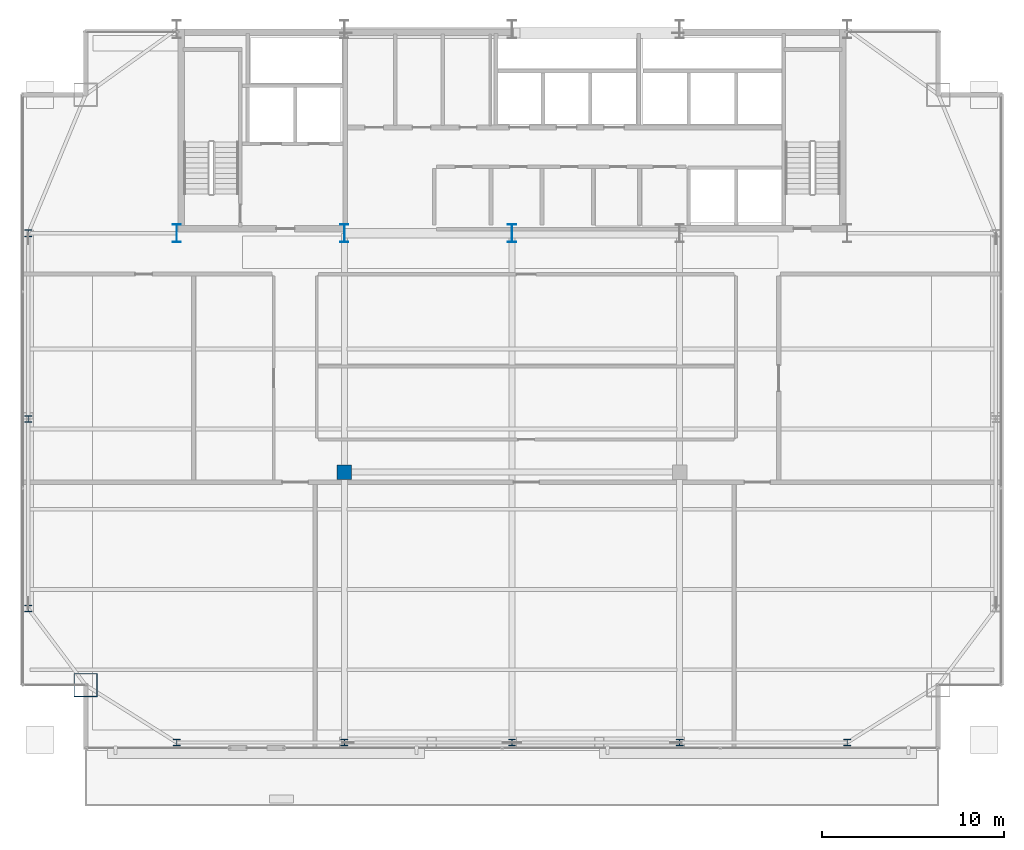
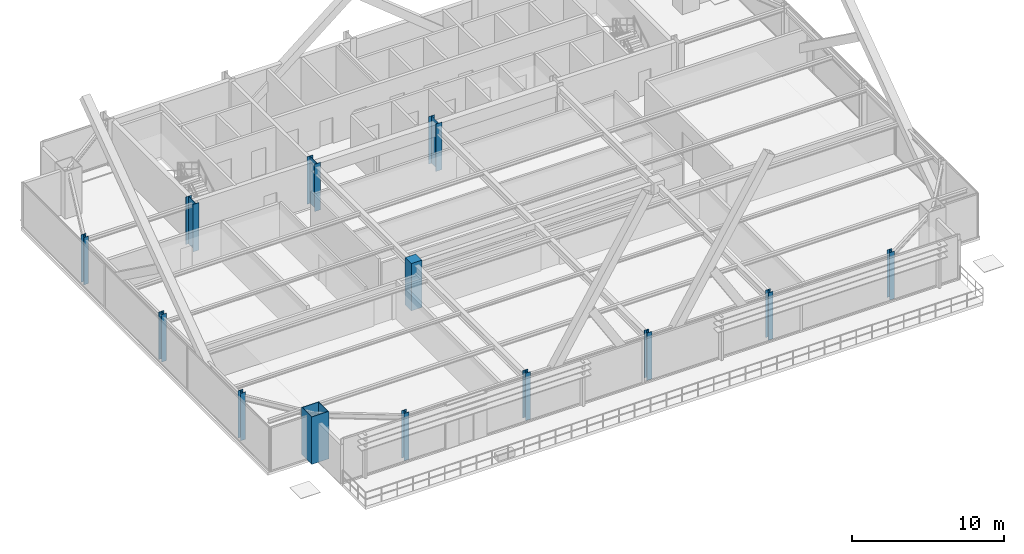
# One storey, part 1 of 33: 13 columns.
"""IFC4 building model written with IfcOpenShell, lengths in metres."""

from ifc_helpers import new_model, si_unit, direction, frame, origin, origin_2d, place, context, subcontext, project, spatial, rectangle, hollow_rectangle, i_section, extrude, source, transform, mapped, material, material_profile, profile_set, type_object, type_shapes, element, save


model = new_model("IFC4")

# Units and contexts
model_context = context("Model", 3, precision=1e-05, world=origin(), true_north=direction((0.0, 1.0)))
body_context = subcontext(model_context, "Body", "Model", "MODEL_VIEW")
ifc_project = project(units=[si_unit("LENGTHUNIT", "METRE"), si_unit("AREAUNIT", "SQUARE_METRE"), si_unit("VOLUMEUNIT", "CUBIC_METRE"), si_unit("PLANEANGLEUNIT", "RADIAN"), si_unit("MASSUNIT", "GRAM", prefix="KILO")], contexts=[model_context])

# Site, building, storey
site_placement = place(None, origin())
site = spatial("IfcSite", under=ifc_project, at=site_placement, CompositionType="ELEMENT")
building_placement = place(site_placement, origin())
building = spatial("IfcBuilding", under=site, at=building_placement, Name="Varnel Quay Broadcast Tower", CompositionType="ELEMENT")
storey_placement = place(building_placement, frame((0.0, 0.0, 145.800048828125)))
storey = spatial("IfcBuildingStorey", under=building, at=storey_placement, Name="L35", CompositionType="ELEMENT", Elevation=145.800048828125)

# Columns
ifc_material_1 = material(Name="Structural Steel CSA G40.21 350WT", Category="steel")
ifc_material_profile_1 = material_profile(ifc_material_1, i_section(OverallWidth=0.449951171875, OverallDepth=1.0, WebThickness=0.01611328125, FlangeThickness=0.030029296875, FilletRadius=0.01611328125, at=origin_2d()), Name="WWF1000X362")
ifc_profile_set_1 = profile_set([ifc_material_profile_1], Name="Structural Steel CSA G40.21 350WT")
column_type_1 = type_object("IfcColumnType", Name="Col_WWF1000X362", PredefinedType="COLUMN", material=ifc_profile_set_1)
shared_shape_1 = source(origin(), body_context, "Body", "SweptSolid", [
    extrude(i_section(OverallWidth=0.449951171875, OverallDepth=1.0, WebThickness=0.01611328125, FlangeThickness=0.030029296875, FilletRadius=0.01611328125, at=origin_2d()), origin(), (0.0, 0.0, 1.0), 3.800048828125),
])
type_shapes(column_type_1, [shared_shape_1])
for number, where, z_axis, x_axis, name in (
    (1, (15.60009765625, 35.60009765625, 0.0), (0.0, 0.0, 1.0), (1.0, 0.0, 0.0), "L35 Column CC-S1"),
    (2, (24.800048828125, 35.60009765625, 0.0), (0.0, 0.0, 1.0), (1.0, 0.0, 0.0), "L35 Column CC-S2"),
    (3, (34.0, 35.60009765625, 0.0), (0.0, 0.0, 1.0), (1.0, 0.0, 0.0), "L35 Column CC-S3"),
):
    element("IfcColumn", number, at=place(storey_placement, frame(where, z_axis=z_axis, x_axis=x_axis)), inside=storey, type_object=column_type_1, Name=name, PredefinedType="COLUMN", context=body_context, shape_type="MappedRepresentation", body=[
        mapped(shared_shape_1, transform((0.0, 0.0, 0.0), x_axis=(1.0, 0.0, 0.0), y_axis=(0.0, 1.0, 0.0), z_axis=(0.0, 0.0, 1.0), scale=1.0)),
    ])
ifc_material_profile_2 = material_profile(ifc_material_1, hollow_rectangle(XDim=1.300048828125, YDim=1.300048828125, WallThickness=0.050048828125, at=origin_2d()), Name="BOX1300X1300X50")
ifc_profile_set_2 = profile_set([ifc_material_profile_2], Name="Structural Steel CSA G40.21 350WT")
column_type_2 = type_object("IfcColumnType", Name="Col_BOX1300X1300X50", PredefinedType="COLUMN", material=ifc_profile_set_2)
shared_shape_2 = source(origin(), body_context, "Body", "SweptSolid", [
    extrude(hollow_rectangle(XDim=1.300048828125, YDim=1.300048828125, WallThickness=0.050048828125, at=origin_2d()), origin(), (0.0, 0.0, 1.0), 3.800048828125),
])
type_shapes(column_type_2, [shared_shape_2])
column_1_placement = place(storey_placement, frame((10.60009765625, 10.800048828125, 0.0), z_axis=(0.0, 0.0, 1.0), x_axis=(1.0, 0.0, 0.0)))
element("IfcColumn", 4, at=column_1_placement, inside=storey, type_object=column_type_2, Name="L35 Column MC-SW", PredefinedType="COLUMN", context=body_context, shape_type="MappedRepresentation", body=[
    mapped(shared_shape_2, transform((0.0, 0.0, 0.0), x_axis=(1.0, 0.0, 0.0), y_axis=(0.0, 1.0, 0.0), z_axis=(0.0, 0.0, 1.0), scale=1.0)),
])
ifc_material_2 = material(Name="Structural Steel CSA G40.21 350W", Category="steel")
ifc_material_profile_3 = material_profile(ifc_material_2, i_section(OverallWidth=0.3740234375, OverallDepth=0.3720703125, WebThickness=0.016357421875, FlangeThickness=0.026123046875, FilletRadius=0.01611328125, at=origin_2d()), Name="W360X196")
ifc_profile_set_3 = profile_set([ifc_material_profile_3], Name="Structural Steel CSA G40.21 350W")
column_type_3 = type_object("IfcColumnType", Name="Col_W360X196", PredefinedType="COLUMN", material=ifc_profile_set_3)
shared_shape_3 = source(origin(), body_context, "Body", "SweptSolid", [
    extrude(i_section(OverallWidth=0.3740234375, OverallDepth=0.3720703125, WebThickness=0.016357421875, FlangeThickness=0.026123046875, FilletRadius=0.01611328125, at=origin_2d()), origin(), (0.0, 0.0, 1.0), 3.800048828125),
])
type_shapes(column_type_3, [shared_shape_3])
for number, where, z_axis, x_axis, name in (
    (5, (15.60009765625, 7.64990234375, 0.0), (0.0, 0.0, 1.0), (1.0, 0.0, 0.0), "L35 Column TC-S1"),
    (6, (24.800048828125, 7.64990234375, 0.0), (0.0, 0.0, 1.0), (1.0, 0.0, 0.0), "L35 Column TC-S2"),
    (7, (34.0, 7.64990234375, 0.0), (0.0, 0.0, 1.0), (1.0, 0.0, 0.0), "L35 Column TC-S3"),
    (8, (43.199951171875, 7.64990234375, 0.0), (0.0, 0.0, 1.0), (1.0, 0.0, 0.0), "L35 Column TC-S4"),
    (9, (52.39990234375, 7.64990234375, 0.0), (0.0, 0.0, 1.0), (1.0, 0.0, 0.0), "L35 Column TC-S5"),
    (10, (7.449951171875, 15.0, 0.0), (0.0, 0.0, 1.0), (1.0, 0.0, 0.0), "L35 Column TC-W1"),
    (11, (7.449951171875, 25.39990234375, 0.0), (0.0, 0.0, 1.0), (1.0, 0.0, 0.0), "L35 Column TC-W2"),
    (12, (7.449951171875, 35.60009765625, 0.0), (0.0, 0.0, 1.0), (1.0, 0.0, 0.0), "L35 Column TC-W3"),
):
    element("IfcColumn", number, at=place(storey_placement, frame(where, z_axis=z_axis, x_axis=x_axis)), inside=storey, type_object=column_type_3, Name=name, PredefinedType="COLUMN", context=body_context, shape_type="MappedRepresentation", body=[
        mapped(shared_shape_3, transform((0.0, 0.0, 0.0), x_axis=(1.0, 0.0, 0.0), y_axis=(0.0, 1.0, 0.0), z_axis=(0.0, 0.0, 1.0), scale=1.0)),
    ])
ifc_material_3 = material(Name="Concrete CSA A23.3 C50/60", Category="concrete")
ifc_material_profile_4 = material_profile(ifc_material_3, rectangle(XDim=0.800048828125, YDim=0.800048828125, at=origin_2d()), Name="RC800X800")
ifc_profile_set_4 = profile_set([ifc_material_profile_4], Name="Concrete CSA A23.3 C50/60")
column_type_4 = type_object("IfcColumnType", Name="Col_RC800X800", PredefinedType="COLUMN", material=ifc_profile_set_4)
shared_shape_4 = source(origin(), body_context, "Body", "SweptSolid", [
    extrude(rectangle(XDim=0.800048828125, YDim=0.800048828125, at=origin_2d()), origin(), (0.0, 0.0, 1.0), 3.800048828125),
])
type_shapes(column_type_4, [shared_shape_4])
column_2_placement = place(storey_placement, frame((24.800048828125, 22.489990234375, 0.0), z_axis=(0.0, 0.0, 1.0), x_axis=(1.0, 0.0, 0.0)))
element("IfcColumn", 13, at=column_2_placement, inside=storey, type_object=column_type_4, Name="L35 Column IC-01", PredefinedType="COLUMN", context=body_context, shape_type="MappedRepresentation", body=[
    mapped(shared_shape_4, transform((0.0, 0.0, 0.0), x_axis=(1.0, 0.0, 0.0), y_axis=(0.0, 1.0, 0.0), z_axis=(0.0, 0.0, 1.0), scale=1.0)),
])

save(model, "model.ifc")
